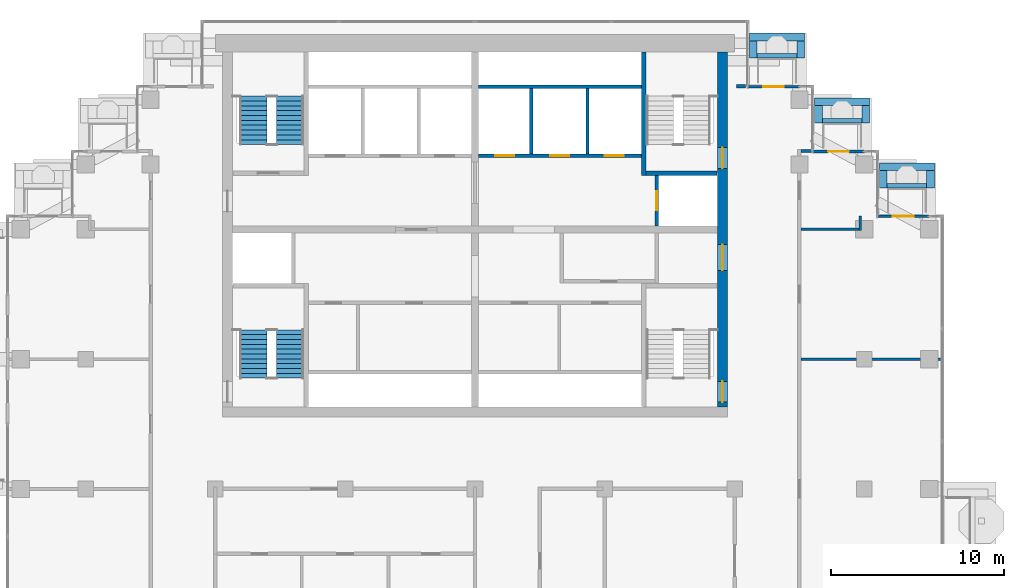
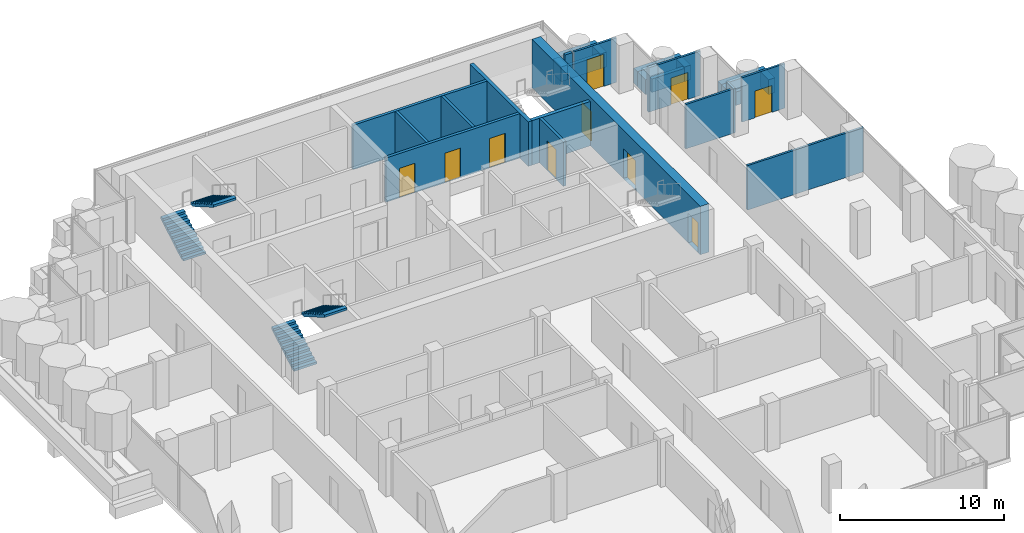
# One storey, part 14 of 18: 28 walls, 10 doors, 4 stair flights, 10 openings, 2 elements without a shape of their own.
"""IFC4 building model written with IfcOpenShell, lengths in metres."""

from ifc_helpers import new_model, si_unit, direction, frame, frame_2d, origin, place, context, subcontext, project, spatial, polyline, rectangle, outline, extrude, material, layer, layer_set, type_object, element, fill, aggregate, save


model = new_model("IFC4")

# Units and contexts
model_context = context("Model", 3, precision=1e-05, world=origin(), true_north=direction((0.0, 1.0)))
body_context = subcontext(model_context, "Body", "Model", "MODEL_VIEW")
ifc_project = project(units=[si_unit("LENGTHUNIT", "METRE"), si_unit("AREAUNIT", "SQUARE_METRE"), si_unit("VOLUMEUNIT", "CUBIC_METRE"), si_unit("PLANEANGLEUNIT", "RADIAN"), si_unit("MASSUNIT", "GRAM", prefix="KILO")], contexts=[model_context])

# Site, building, storey
site_placement = place(None, origin())
site = spatial("IfcSite", under=ifc_project, at=site_placement, CompositionType="ELEMENT")
building_placement = place(site_placement, origin())
building = spatial("IfcBuilding", under=site, at=building_placement, Name="Pilkhan Gate Tower", CompositionType="ELEMENT")
storey_placement = place(building_placement, frame((0.0, 0.0, 199.5)))
storey = spatial("IfcBuildingStorey", under=building, at=storey_placement, Name="L51", CompositionType="ELEMENT", Elevation=199.5)

# Walls
ifc_material_1 = material(Name="Concrete C40/50", Category="concrete")
ifc_layer_1 = layer(ifc_material_1, 0.25)
ifc_layer_set_1 = layer_set([ifc_layer_1], Name="Balcony planter BP250")
wall_type_1 = type_object("IfcWallType", Name="Balcony planter BP250", PredefinedType="USERDEFINED", material=ifc_layer_set_1)
wall_1_placement = place(storey_placement, frame((91.300048828125, 92.52490234375, 0.0), z_axis=(0.0, 0.0, 1.0), x_axis=(1.0, 0.0, 0.0)))
element("IfcWall", 1, at=wall_1_placement, inside=storey, type_object=wall_type_1, Name="Balcony planter L51 N", ObjectType="BALCONY PLANTER", PredefinedType="USERDEFINED", context=body_context, shape_type="SweptSolid", body=[
    extrude(rectangle(XDim=2.300048828125, YDim=0.25, at=frame_2d((1.14990234375, 0.0))), origin(), (0.0, 0.0, 1.0), 1.0),
])
for number, where, z_axis, x_axis, name in (
    (2, (95.070068359375, 88.77490234375, 0.0), (0.0, 0.0, 1.0), (1.0, 0.0, 0.0), "Balcony planter L51 N"),
    (3, (98.820068359375, 85.02490234375, 0.0), (0.0, 0.0, 1.0), (1.0, 0.0, 0.0), "Balcony planter L51 N"),
):
    element("IfcWall", number, at=place(storey_placement, frame(where, z_axis=z_axis, x_axis=x_axis)), inside=storey, type_object=wall_type_1, Name=name, ObjectType="BALCONY PLANTER", PredefinedType="USERDEFINED", context=body_context, shape_type="SweptSolid", body=[
        extrude(rectangle(XDim=2.280029296875, YDim=0.25, at=frame_2d((1.14013671875, 0.0))), origin(), (0.0, 0.0, 1.0), 1.0),
    ])
ifc_material_2 = material(Name="Board-marked Concrete C40/50", Category="concrete")
ifc_layer_2 = layer(ifc_material_2, 0.449951171875)
ifc_layer_set_2 = layer_set([ifc_layer_2], Name="Balcony planter lip BL450")
wall_type_2 = type_object("IfcWallType", Name="Balcony planter lip BL450", PredefinedType="USERDEFINED", material=ifc_layer_set_2)
wall_2_placement = place(storey_placement, frame((90.85009765625, 93.625, 0.0), z_axis=(0.0, 0.0, 1.0), x_axis=(1.0, 0.0, 0.0)))
element("IfcWall", 4, at=wall_2_placement, inside=storey, type_object=wall_type_2, Name="Balcony planter L51 N", ObjectType="BALCONY PLANTER", PredefinedType="USERDEFINED", context=body_context, shape_type="SweptSolid", body=[
    extrude(rectangle(XDim=3.199951171875, YDim=0.449951171875, at=frame_2d((1.60009765625, 0.0))), origin(), (0.0, 0.0, 1.0), 1.10009765625),
])
for number, where, z_axis, x_axis, name in (
    (5, (91.074951171875, 92.39990234375, 0.0), (0.0, 0.0, 1.0), (0.0, 1.0, 0.0), "Balcony planter L51 N"),
    (6, (93.824951171875, 92.39990234375, 0.0), (0.0, 0.0, 1.0), (0.0, 1.0, 0.0), "Balcony planter L51 N"),
):
    element("IfcWall", number, at=place(storey_placement, frame(where, z_axis=z_axis, x_axis=x_axis)), inside=storey, type_object=wall_type_2, Name=name, ObjectType="BALCONY PLANTER", PredefinedType="USERDEFINED", context=body_context, shape_type="SweptSolid", body=[
        extrude(rectangle(XDim=1.0, YDim=0.449951171875, at=frame_2d((0.5, 0.0))), origin(), (0.0, 0.0, 1.0), 1.10009765625),
    ])
wall_3_placement = place(storey_placement, frame((94.6201171875, 89.875, 0.0), z_axis=(0.0, 0.0, 1.0), x_axis=(1.0, 0.0, 0.0)))
element("IfcWall", 7, at=wall_3_placement, inside=storey, type_object=wall_type_2, Name="Balcony planter L51 N", ObjectType="BALCONY PLANTER", PredefinedType="USERDEFINED", context=body_context, shape_type="SweptSolid", body=[
    extrude(rectangle(XDim=3.179931640625, YDim=0.449951171875, at=frame_2d((1.58984375, 0.0))), origin(), (0.0, 0.0, 1.0), 1.10009765625),
])
for number, where, z_axis, x_axis, name in (
    (8, (94.844970703125, 88.64990234375, 0.0), (0.0, 0.0, 1.0), (0.0, 1.0, 0.0), "Balcony planter L51 N"),
    (9, (97.574951171875, 88.64990234375, 0.0), (0.0, 0.0, 1.0), (0.0, 1.0, 0.0), "Balcony planter L51 N"),
):
    element("IfcWall", number, at=place(storey_placement, frame(where, z_axis=z_axis, x_axis=x_axis)), inside=storey, type_object=wall_type_2, Name=name, ObjectType="BALCONY PLANTER", PredefinedType="USERDEFINED", context=body_context, shape_type="SweptSolid", body=[
        extrude(rectangle(XDim=1.0, YDim=0.449951171875, at=frame_2d((0.5, 0.0))), origin(), (0.0, 0.0, 1.0), 1.10009765625),
    ])
wall_4_placement = place(storey_placement, frame((98.3701171875, 86.125, 0.0), z_axis=(0.0, 0.0, 1.0), x_axis=(1.0, 0.0, 0.0)))
element("IfcWall", 10, at=wall_4_placement, inside=storey, type_object=wall_type_2, Name="Balcony planter L51 N", ObjectType="BALCONY PLANTER", PredefinedType="USERDEFINED", context=body_context, shape_type="SweptSolid", body=[
    extrude(rectangle(XDim=3.179931640625, YDim=0.449951171875, at=frame_2d((1.58984375, 0.0))), origin(), (0.0, 0.0, 1.0), 1.10009765625),
])
for number, where, z_axis, x_axis, name in (
    (11, (98.594970703125, 84.89990234375, 0.0), (0.0, 0.0, 1.0), (0.0, 1.0, 0.0), "Balcony planter L51 N"),
    (12, (101.324951171875, 84.89990234375, 0.0), (0.0, 0.0, 1.0), (0.0, 1.0, 0.0), "Balcony planter L51 N"),
):
    element("IfcWall", number, at=place(storey_placement, frame(where, z_axis=z_axis, x_axis=x_axis)), inside=storey, type_object=wall_type_2, Name=name, ObjectType="BALCONY PLANTER", PredefinedType="USERDEFINED", context=body_context, shape_type="SweptSolid", body=[
        extrude(rectangle(XDim=1.0, YDim=0.449951171875, at=frame_2d((0.5, 0.0))), origin(), (0.0, 0.0, 1.0), 1.10009765625),
    ])

# Wall, openings, doors
ifc_material_3 = material(Name="Concrete C50/60", Category="concrete")
ifc_layer_3 = layer(ifc_material_3, 0.60009765625)
ifc_layer_set_3 = layer_set([ifc_layer_3], Name="Core wall CW600 C50/60")
wall_type_3 = type_object("IfcWallType", Name="Core wall CW600 C50/60", PredefinedType="SHEAR", material=ifc_layer_set_3)
wall_5_placement = place(storey_placement, frame((89.300048828125, 72.25, 0.0), z_axis=(0.0, 0.0, 1.0), x_axis=(0.0, 1.0, 0.0)))
wall_5 = element("IfcWall", 13, at=wall_5_placement, inside=storey, type_object=wall_type_3, Name="Core wall E L51", PredefinedType="SHEAR", context=body_context, shape_type="SweptSolid", body=[
    extrude(rectangle(XDim=20.5, YDim=0.60009765625, at=frame_2d((10.25, 0.0))), origin(), (0.0, 0.0, 1.0), 3.60009765625),
])
opening_1_placement = place(wall_5_placement, frame((0.27490234375, 0.0, 0.0)))
opening_1 = element("IfcOpeningElement", 14, at=opening_1_placement, cuts=wall_5, Name="Opening L51-03", PredefinedType="OPENING", context=body_context, shape_type="SweptSolid", body=[
    extrude(rectangle(XDim=1.199951171875, YDim=2.199951171875, at=frame_2d((0.60009765625, 1.10009765625))), frame((0.0, 0.31005859375, 0.0), z_axis=(0.0, -1.0, 0.0), x_axis=(1.0, 0.0, 0.0)), (0.0, 0.0, 1.0), 0.6201171875),
])
opening_2_placement = place(wall_5_placement, frame((13.77490234375, 0.0, 0.0)))
opening_2 = element("IfcOpeningElement", 15, at=opening_2_placement, cuts=wall_5, Name="Opening L51-05", PredefinedType="OPENING", context=body_context, shape_type="SweptSolid", body=[
    extrude(rectangle(XDim=1.199951171875, YDim=2.199951171875, at=frame_2d((0.60009765625, 1.10009765625))), frame((0.0, 0.31005859375, 0.0), z_axis=(0.0, -1.0, 0.0), x_axis=(1.0, 0.0, 0.0)), (0.0, 0.0, 1.0), 0.6201171875),
])
opening_3_placement = place(wall_5_placement, frame((7.875, 0.0, 0.0)))
opening_3 = element("IfcOpeningElement", 16, at=opening_3_placement, cuts=wall_5, Name="Opening L51-06", PredefinedType="OPENING", context=body_context, shape_type="SweptSolid", body=[
    extrude(rectangle(XDim=1.5, YDim=2.199951171875, at=frame_2d((0.75, 1.10009765625))), frame((0.0, 0.31005859375, 0.0), z_axis=(0.0, -1.0, 0.0), x_axis=(1.0, 0.0, 0.0)), (0.0, 0.0, 1.0), 0.6201171875),
])
ifc_material_4 = material(Name="Steel framed glazed door, 60 minute fire resisting", Category="steel")
door_type_1 = type_object("IfcDoorType", Name="Lobby door D09 1500x2200", OperationType="DOUBLE_DOOR_SINGLE_SWING", PredefinedType="DOOR", material=ifc_material_4)
door_1_placement = place(opening_3_placement, origin())
door_1 = element("IfcDoor", 17, at=door_1_placement, inside=storey, type_object=door_type_1, Name="Core door", OperationType="DOUBLE_DOOR_SINGLE_SWING", OverallHeight=2.199951171875, OverallWidth=1.5, PredefinedType="DOOR", context=body_context, shape_type="SweptSolid", body=[
    extrude(rectangle(XDim=1.5, YDim=2.199951171875, at=frame_2d((0.75, 1.10009765625))), frame((0.0, 0.02490234375, 0.0), z_axis=(0.0, -1.0, 0.0), x_axis=(1.0, 0.0, 0.0)), (0.0, 0.0, 1.0), 0.050048828125),
])
fill(opening_3, door_1)
ifc_material_5 = material(Name="Steel door, 120 minute fire resisting, panic bar", Category="steel")
door_type_2 = type_object("IfcDoorType", Name="Stair door D11 1200x2200", OperationType="SINGLE_SWING_LEFT", PredefinedType="DOOR", material=ifc_material_5)
door_2_placement = place(opening_1_placement, origin())
door_2 = element("IfcDoor", 18, at=door_2_placement, inside=storey, type_object=door_type_2, Name="Stair ST1 door", OperationType="SINGLE_SWING_RIGHT", OverallHeight=2.199951171875, OverallWidth=1.199951171875, PredefinedType="DOOR", context=body_context, shape_type="SweptSolid", body=[
    extrude(rectangle(XDim=1.199951171875, YDim=2.199951171875, at=frame_2d((0.60009765625, 1.10009765625))), frame((0.0, 0.02490234375, 0.0), z_axis=(0.0, -1.0, 0.0), x_axis=(1.0, 0.0, 0.0)), (0.0, 0.0, 1.0), 0.050048828125),
])
fill(opening_1, door_2)
door_3_placement = place(opening_2_placement, origin())
door_3 = element("IfcDoor", 19, at=door_3_placement, inside=storey, type_object=door_type_2, Name="Stair ST4 door", OperationType="SINGLE_SWING_LEFT", OverallHeight=2.199951171875, OverallWidth=1.199951171875, PredefinedType="DOOR", context=body_context, shape_type="SweptSolid", body=[
    extrude(rectangle(XDim=1.199951171875, YDim=2.199951171875, at=frame_2d((0.60009765625, 1.10009765625))), frame((0.0, 0.02490234375, 0.0), z_axis=(0.0, -1.0, 0.0), x_axis=(1.0, 0.0, 0.0)), (0.0, 0.0, 1.0), 0.050048828125),
])
fill(opening_2, door_3)

# Walls
ifc_material_6 = material(Name="Dense blockwork", Category="masonry")
ifc_layer_4 = layer(ifc_material_6, 0.199951171875)
ifc_layer_set_4 = layer_set([ifc_layer_4], Name="Corridor wall FW200")
wall_type_4 = type_object("IfcWallType", Name="Corridor wall FW200", PredefinedType="PARTITIONING", material=ifc_layer_set_4)
wall_6_placement = place(storey_placement, frame((93.85009765625, 87.030029296875, 0.0), z_axis=(0.0, 0.0, 1.0), x_axis=(1.0, 0.0, 0.0)))
element("IfcWall", 20, at=wall_6_placement, inside=storey, type_object=wall_type_4, Name="Partition L51", PredefinedType="PARTITIONING", context=body_context, shape_type="SweptSolid", body=[
    extrude(rectangle(XDim=0.639892578125, YDim=0.199951171875, at=frame_2d((0.31982421875, 0.0))), origin(), (0.0, 0.0, 1.0), 3.300048828125),
])
wall_7_placement = place(storey_placement, frame((90.1201171875, 90.764892578125, 0.0), z_axis=(0.0, 0.0, 1.0), x_axis=(1.0, 0.0, 0.0)))
element("IfcWall", 21, at=wall_7_placement, inside=storey, type_object=wall_type_4, Name="Partition L51", PredefinedType="PARTITIONING", context=body_context, shape_type="SweptSolid", body=[
    extrude(rectangle(XDim=0.52490234375, YDim=0.199951171875, at=frame_2d((0.262451171875, 0.0))), origin(), (0.0, 0.0, 1.0), 3.300048828125),
])

# Wall, opening, door
ifc_material_7 = material(Name="Pale anodised aluminium, clear laminated glazing", Category="aluminium")
ifc_layer_5 = layer(ifc_material_7, 0.14990234375)
ifc_layer_set_5 = layer_set([ifc_layer_5], Name="Facade infill wall IW150")
wall_type_5 = type_object("IfcWallType", Name="Facade infill wall IW150", PredefinedType="SOLIDWALL", material=ifc_layer_set_5)
wall_8_placement = place(storey_placement, frame((98.25, 83.25, 0.0), z_axis=(0.0, 0.0, 1.0), x_axis=(1.0, 0.0, 0.0)))
wall_8 = element("IfcWall", 22, at=wall_8_placement, inside=storey, type_object=wall_type_5, Name="Infill wall L51 N", PredefinedType="SOLIDWALL", context=body_context, shape_type="SweptSolid", body=[
    extrude(rectangle(XDim=3.0, YDim=0.14990234375, at=frame_2d((1.5, 0.0))), origin(), (0.0, 0.0, 1.0), 3.300048828125),
])
opening_4_placement = place(wall_8_placement, frame((0.89990234375, 0.0, 0.0)))
opening_4 = element("IfcOpeningElement", 23, at=opening_4_placement, cuts=wall_8, Name="Opening D1L", PredefinedType="OPENING", context=body_context, shape_type="SweptSolid", body=[
    extrude(rectangle(XDim=1.199951171875, YDim=2.0, at=frame_2d((0.60009765625, 1.0))), frame((0.0, 0.0849609375, 0.0), z_axis=(0.0, -1.0, 0.0), x_axis=(1.0, 0.0, 0.0)), (0.0, 0.0, 1.0), 0.169921875),
])
ifc_material_8 = material(Name="Pale anodised aluminium, clear glazing", Category="aluminium")
door_type_3 = type_object("IfcDoorType", Name="Balcony door D1L 1200x2000", OperationType="SINGLE_SWING_LEFT", PredefinedType="DOOR", material=ifc_material_8)
door_4_placement = place(opening_4_placement, origin())
door_4 = element("IfcDoor", 24, at=door_4_placement, inside=storey, type_object=door_type_3, Name="Balcony door L51", OperationType="SINGLE_SWING_LEFT", OverallHeight=2.0, OverallWidth=1.199951171875, PredefinedType="DOOR", context=body_context, shape_type="SweptSolid", body=[
    extrude(rectangle(XDim=1.199951171875, YDim=2.0, at=frame_2d((0.60009765625, 1.0))), frame((0.0, 0.02490234375, 0.0), z_axis=(0.0, -1.0, 0.0), x_axis=(1.0, 0.0, 0.0)), (0.0, 0.0, 1.0), 0.050048828125),
])
fill(opening_4, door_4)

wall_9_placement = place(storey_placement, frame((94.5, 87.0, 0.0), z_axis=(0.0, 0.0, 1.0), x_axis=(1.0, 0.0, 0.0)))
wall_9 = element("IfcWall", 25, at=wall_9_placement, inside=storey, type_object=wall_type_5, Name="Infill wall L51 N", PredefinedType="SOLIDWALL", context=body_context, shape_type="SweptSolid", body=[
    extrude(rectangle(XDim=3.0, YDim=0.14990234375, at=frame_2d((1.5, 0.0))), origin(), (0.0, 0.0, 1.0), 3.300048828125),
])
opening_5_placement = place(wall_9_placement, frame((0.89990234375, 0.0, 0.0)))
opening_5 = element("IfcOpeningElement", 26, at=opening_5_placement, cuts=wall_9, Name="Opening D1L", PredefinedType="OPENING", context=body_context, shape_type="SweptSolid", body=[
    extrude(rectangle(XDim=1.199951171875, YDim=2.0, at=frame_2d((0.60009765625, 1.0))), frame((0.0, 0.0849609375, 0.0), z_axis=(0.0, -1.0, 0.0), x_axis=(1.0, 0.0, 0.0)), (0.0, 0.0, 1.0), 0.169921875),
])
door_5_placement = place(opening_5_placement, origin())
door_5 = element("IfcDoor", 27, at=door_5_placement, inside=storey, type_object=door_type_3, Name="Balcony door L51", OperationType="SINGLE_SWING_LEFT", OverallHeight=2.0, OverallWidth=1.199951171875, PredefinedType="DOOR", context=body_context, shape_type="SweptSolid", body=[
    extrude(rectangle(XDim=1.199951171875, YDim=2.0, at=frame_2d((0.60009765625, 1.0))), frame((0.0, 0.02490234375, 0.0), z_axis=(0.0, -1.0, 0.0), x_axis=(1.0, 0.0, 0.0)), (0.0, 0.0, 1.0), 0.050048828125),
])
fill(opening_5, door_5)

wall_10_placement = place(storey_placement, frame((90.75, 90.75, 0.0), z_axis=(0.0, 0.0, 1.0), x_axis=(1.0, 0.0, 0.0)))
wall_10 = element("IfcWall", 28, at=wall_10_placement, inside=storey, type_object=wall_type_5, Name="Infill wall L51 N", PredefinedType="SOLIDWALL", context=body_context, shape_type="SweptSolid", body=[
    extrude(rectangle(XDim=3.0, YDim=0.14990234375, at=frame_2d((1.5, 0.0))), origin(), (0.0, 0.0, 1.0), 3.300048828125),
])
opening_6_placement = place(wall_10_placement, frame((0.89990234375, 0.0, 0.0)))
opening_6 = element("IfcOpeningElement", 29, at=opening_6_placement, cuts=wall_10, Name="Opening D1", PredefinedType="OPENING", context=body_context, shape_type="SweptSolid", body=[
    extrude(rectangle(XDim=1.199951171875, YDim=2.39990234375, at=frame_2d((0.60009765625, 1.199951171875))), frame((0.0, 0.0849609375, 0.0), z_axis=(0.0, -1.0, 0.0), x_axis=(1.0, 0.0, 0.0)), (0.0, 0.0, 1.0), 0.169921875),
])
door_type_4 = type_object("IfcDoorType", Name="Balcony door D1 1200x2400", OperationType="SINGLE_SWING_LEFT", PredefinedType="DOOR", material=ifc_material_8)
door_6_placement = place(opening_6_placement, origin())
door_6 = element("IfcDoor", 30, at=door_6_placement, inside=storey, type_object=door_type_4, Name="Balcony door L51", OperationType="SINGLE_SWING_LEFT", OverallHeight=2.39990234375, OverallWidth=1.199951171875, PredefinedType="DOOR", context=body_context, shape_type="SweptSolid", body=[
    extrude(rectangle(XDim=1.199951171875, YDim=2.39990234375, at=frame_2d((0.60009765625, 1.199951171875))), frame((0.0, 0.02490234375, 0.0), z_axis=(0.0, -1.0, 0.0), x_axis=(1.0, 0.0, 0.0)), (0.0, 0.0, 1.0), 0.050048828125),
])
fill(opening_6, door_6)

# Walls
ifc_material_9 = material(Name="Blockwork partition, plastered both sides", Category="masonry")
ifc_layer_6 = layer(ifc_material_9, 0.14990234375)
ifc_layer_set_6 = layer_set([ifc_layer_6], Name="Partition PW150")
wall_type_6 = type_object("IfcWallType", Name="Partition PW150", PredefinedType="PARTITIONING", material=ifc_layer_set_6)
wall_11_placement = place(storey_placement, frame((93.85009765625, 75.0, 0.0), z_axis=(0.0, 0.0, 1.0), x_axis=(1.0, 0.0, 0.0)))
element("IfcWall", 31, at=wall_11_placement, inside=storey, type_object=wall_type_6, Name="Partition L51", PredefinedType="PARTITIONING", context=body_context, shape_type="SweptSolid", body=[
    extrude(rectangle(XDim=8.164794921875, YDim=0.14990234375, at=frame_2d((4.08251953125, 0.0))), origin(), (0.0, 0.0, 1.0), 3.300048828125),
])
wall_12_placement = place(storey_placement, frame((93.85009765625, 82.5, 0.0), z_axis=(0.0, 0.0, 1.0), x_axis=(1.0, 0.0, 0.0)))
element("IfcWall", 32, at=wall_12_placement, inside=storey, type_object=wall_type_6, Name="Partition L51", PredefinedType="PARTITIONING", context=body_context, shape_type="SweptSolid", body=[
    extrude(rectangle(XDim=3.33984375, YDim=0.14990234375, at=frame_2d((1.669921875, 0.0))), origin(), (0.0, 0.0, 1.0), 3.300048828125),
])
wall_13_placement = place(storey_placement, frame((97.264892578125, 82.425048828125, 0.0), z_axis=(0.0, 0.0, 1.0), x_axis=(0.0, 1.0, 0.0)))
element("IfcWall", 33, at=wall_13_placement, inside=storey, type_object=wall_type_6, Name="Partition L51", PredefinedType="PARTITIONING", context=body_context, shape_type="SweptSolid", body=[
    extrude(rectangle(XDim=0.83984375, YDim=0.14990234375, at=frame_2d((0.419921875, 0.0))), origin(), (0.0, 0.0, 1.0), 3.300048828125),
])

# Wall, openings, doors
ifc_material_10 = material(Name="Reinforced blockwork shaft wall, 120 minute fire resisting", Category="masonry")
ifc_layer_7 = layer(ifc_material_10, 0.199951171875)
ifc_layer_set_7 = layer_set([ifc_layer_7], Name="Shaft wall SW200")
wall_type_7 = type_object("IfcWallType", Name="Shaft wall SW200", PredefinedType="PARTITIONING", material=ifc_layer_set_7)
wall_14_placement = place(storey_placement, frame((75.2099609375, 86.75, 0.0), z_axis=(0.0, 0.0, 1.0), x_axis=(1.0, 0.0, 0.0)))
wall_14 = element("IfcWall", 34, at=wall_14_placement, inside=storey, type_object=wall_type_7, Name="Partition L51", PredefinedType="PARTITIONING", context=body_context, shape_type="SweptSolid", body=[
    extrude(rectangle(XDim=9.4150390625, YDim=0.199951171875, at=frame_2d((4.70751953125, 0.0))), origin(), (0.0, 0.0, 1.0), 3.300048828125),
])
opening_7_placement = place(wall_14_placement, frame((0.949951171875, 0.0, 0.0)))
opening_7 = element("IfcOpeningElement", 35, at=opening_7_placement, cuts=wall_14, Name="Opening LD", PredefinedType="OPENING", context=body_context, shape_type="SweptSolid", body=[
    extrude(rectangle(XDim=1.10009765625, YDim=2.199951171875, at=frame_2d((0.550048828125, 1.10009765625))), frame((0.0, 0.10986328125, 0.0), z_axis=(0.0, -1.0, 0.0), x_axis=(1.0, 0.0, 0.0)), (0.0, 0.0, 1.0), 0.219970703125),
])
opening_8_placement = place(wall_14_placement, frame((4.139892578125, 0.0, 0.0)))
opening_8 = element("IfcOpeningElement", 36, at=opening_8_placement, cuts=wall_14, Name="Opening LD", PredefinedType="OPENING", context=body_context, shape_type="SweptSolid", body=[
    extrude(rectangle(XDim=1.10009765625, YDim=2.199951171875, at=frame_2d((0.550048828125, 1.10009765625))), frame((0.0, 0.10986328125, 0.0), z_axis=(0.0, -1.0, 0.0), x_axis=(1.0, 0.0, 0.0)), (0.0, 0.0, 1.0), 0.219970703125),
])
opening_9_placement = place(wall_14_placement, frame((7.2900390625, 0.0, 0.0)))
opening_9 = element("IfcOpeningElement", 37, at=opening_9_placement, cuts=wall_14, Name="Opening LD", PredefinedType="OPENING", context=body_context, shape_type="SweptSolid", body=[
    extrude(rectangle(XDim=1.10009765625, YDim=2.199951171875, at=frame_2d((0.550048828125, 1.10009765625))), frame((0.0, 0.10986328125, 0.0), z_axis=(0.0, -1.0, 0.0), x_axis=(1.0, 0.0, 0.0)), (0.0, 0.0, 1.0), 0.219970703125),
])
ifc_material_11 = material(Name="Stainless steel centre-opening landing door, 120 minute fire resisting", Category="steel")
door_type_5 = type_object("IfcDoorType", Name="Lift landing door LD 1100x2200", OperationType="DOUBLE_DOOR_SLIDING", PredefinedType="DOOR", material=ifc_material_11)
door_7_placement = place(opening_7_placement, origin())
door_7 = element("IfcDoor", 38, at=door_7_placement, inside=storey, type_object=door_type_5, Name="Landing door HR1", OperationType="DOUBLE_DOOR_SLIDING", OverallHeight=2.199951171875, OverallWidth=1.10009765625, PredefinedType="DOOR", context=body_context, shape_type="SweptSolid", body=[
    extrude(rectangle(XDim=1.10009765625, YDim=2.199951171875, at=frame_2d((0.550048828125, 1.10009765625))), frame((0.0, 0.02490234375, 0.0), z_axis=(0.0, -1.0, 0.0), x_axis=(1.0, 0.0, 0.0)), (0.0, 0.0, 1.0), 0.050048828125),
])
fill(opening_7, door_7)
door_8_placement = place(opening_8_placement, origin())
door_8 = element("IfcDoor", 39, at=door_8_placement, inside=storey, type_object=door_type_5, Name="Landing door HR2", OperationType="DOUBLE_DOOR_SLIDING", OverallHeight=2.199951171875, OverallWidth=1.10009765625, PredefinedType="DOOR", context=body_context, shape_type="SweptSolid", body=[
    extrude(rectangle(XDim=1.10009765625, YDim=2.199951171875, at=frame_2d((0.550048828125, 1.10009765625))), frame((0.0, 0.02490234375, 0.0), z_axis=(0.0, -1.0, 0.0), x_axis=(1.0, 0.0, 0.0)), (0.0, 0.0, 1.0), 0.050048828125),
])
fill(opening_8, door_8)
door_9_placement = place(opening_9_placement, origin())
door_9 = element("IfcDoor", 40, at=door_9_placement, inside=storey, type_object=door_type_5, Name="Landing door HR3", OperationType="DOUBLE_DOOR_SLIDING", OverallHeight=2.199951171875, OverallWidth=1.10009765625, PredefinedType="DOOR", context=body_context, shape_type="SweptSolid", body=[
    extrude(rectangle(XDim=1.10009765625, YDim=2.199951171875, at=frame_2d((0.550048828125, 1.10009765625))), frame((0.0, 0.02490234375, 0.0), z_axis=(0.0, -1.0, 0.0), x_axis=(1.0, 0.0, 0.0)), (0.0, 0.0, 1.0), 0.050048828125),
])
fill(opening_9, door_9)

# Walls
wall_15_placement = place(storey_placement, frame((75.2099609375, 90.75, 0.0), z_axis=(0.0, 0.0, 1.0), x_axis=(1.0, 0.0, 0.0)))
element("IfcWall", 41, at=wall_15_placement, inside=storey, type_object=wall_type_7, Name="Partition L51", PredefinedType="PARTITIONING", context=body_context, shape_type="SweptSolid", body=[
    extrude(rectangle(XDim=9.4150390625, YDim=0.199951171875, at=frame_2d((4.70751953125, 0.0))), origin(), (0.0, 0.0, 1.0), 3.300048828125),
])
for number, where, z_axis, x_axis, name in (
    (42, (78.25, 86.85009765625, 0.0), (0.0, 0.0, 1.0), (0.0, 1.0, 0.0), "Partition L51"),
    (43, (81.5, 86.85009765625, 0.0), (0.0, 0.0, 1.0), (0.0, 1.0, 0.0), "Partition L51"),
):
    element("IfcWall", number, at=place(storey_placement, frame(where, z_axis=z_axis, x_axis=x_axis)), inside=storey, type_object=wall_type_7, Name=name, PredefinedType="PARTITIONING", context=body_context, shape_type="SweptSolid", body=[
        extrude(rectangle(XDim=3.7998046875, YDim=0.199951171875, at=frame_2d((1.89990234375, 0.0))), origin(), (0.0, 0.0, 1.0), 3.300048828125),
    ])

# Wall, opening, door
wall_16_placement = place(storey_placement, frame((85.5, 82.7099609375, 0.0), z_axis=(0.0, 0.0, 1.0), x_axis=(0.0, 1.0, 0.0)))
wall_16 = element("IfcWall", 44, at=wall_16_placement, inside=storey, type_object=wall_type_7, Name="Partition L51", PredefinedType="PARTITIONING", context=body_context, shape_type="SweptSolid", body=[
    extrude(rectangle(XDim=2.9150390625, YDim=0.199951171875, at=frame_2d((1.45751953125, 0.0))), origin(), (0.0, 0.0, 1.0), 3.300048828125),
])
opening_10_placement = place(wall_16_placement, frame((0.89990234375, 0.0, 0.0)))
opening_10 = element("IfcOpeningElement", 45, at=opening_10_placement, cuts=wall_16, Name="Opening LD", PredefinedType="OPENING", context=body_context, shape_type="SweptSolid", body=[
    extrude(rectangle(XDim=1.10009765625, YDim=2.199951171875, at=frame_2d((0.550048828125, 1.10009765625))), frame((0.0, 0.10986328125, 0.0), z_axis=(0.0, -1.0, 0.0), x_axis=(1.0, 0.0, 0.0)), (0.0, 0.0, 1.0), 0.219970703125),
])
door_10_placement = place(opening_10_placement, origin())
door_10 = element("IfcDoor", 46, at=door_10_placement, inside=storey, type_object=door_type_5, Name="Landing door HR4", OperationType="DOUBLE_DOOR_SLIDING", OverallHeight=2.199951171875, OverallWidth=1.10009765625, PredefinedType="DOOR", context=body_context, shape_type="SweptSolid", body=[
    extrude(rectangle(XDim=1.10009765625, YDim=2.199951171875, at=frame_2d((0.550048828125, 1.10009765625))), frame((0.0, 0.02490234375, 0.0), z_axis=(0.0, -1.0, 0.0), x_axis=(1.0, 0.0, 0.0)), (0.0, 0.0, 1.0), 0.050048828125),
])
fill(opening_10, door_10)

# Walls
ifc_material_12 = material(Name="Reinforced blockwork, 120 minute fire resisting", Category="masonry")
ifc_layer_8 = layer(ifc_material_12, 0.25)
ifc_layer_set_8 = layer_set([ifc_layer_8], Name="Stair enclosure wall SE250")
wall_type_8 = type_object("IfcWallType", Name="Stair enclosure wall SE250", PredefinedType="PARTITIONING", material=ifc_layer_set_8)
wall_17_placement = place(storey_placement, frame((84.875, 85.75, 0.0), z_axis=(0.0, 0.0, 1.0), x_axis=(1.0, 0.0, 0.0)))
element("IfcWall", 47, at=wall_17_placement, inside=storey, type_object=wall_type_8, Name="Partition L51", PredefinedType="PARTITIONING", context=body_context, shape_type="SweptSolid", body=[
    extrude(rectangle(XDim=4.114990234375, YDim=0.25, at=frame_2d((2.0576171875, 0.0))), origin(), (0.0, 0.0, 1.0), 3.300048828125),
])
wall_18_placement = place(storey_placement, frame((84.75, 85.625, 0.0), z_axis=(0.0, 0.0, 1.0), x_axis=(0.0, 1.0, 0.0)))
element("IfcWall", 48, at=wall_18_placement, inside=storey, type_object=wall_type_8, Name="Partition L51", PredefinedType="PARTITIONING", context=body_context, shape_type="SweptSolid", body=[
    extrude(rectangle(XDim=7.114990234375, YDim=0.25, at=frame_2d((3.5576171875, 0.0))), origin(), (0.0, 0.0, 1.0), 3.300048828125),
])

# Stair, stair flights
ifc_material_13 = material(Name="Concrete C40/50 precast", Category="concrete")
stair_type_1 = type_object("IfcStairType", Name="Stair ST2 164x280", PredefinedType="HALF_TURN_STAIR", material=ifc_material_13)
stair_1_placement = place(storey_placement, origin())
stair_1 = element("IfcStair", 49, at=stair_1_placement, inside=storey, type_object=stair_type_1, Name="Stair ST2 L51", PredefinedType="HALF_TURN_STAIR")
stair_flight_type_1 = type_object("IfcStairFlightType", Name="Stair flight ST2 164x280x11", PredefinedType="STRAIGHT", material=ifc_material_13)
stair_flight_1_placement = place(storey_placement, frame((62.18994140625, 73.89990234375, 0.0), z_axis=(0.0, 0.0, 1.0), x_axis=(0.0, 1.0, 0.0)))
stair_flight_1 = element("IfcStairFlight", 50, at=stair_flight_1_placement, type_object=stair_flight_type_1, Name="ST2 flight 1", NumberOfRisers=11, NumberOfTreads=10, PredefinedType="STRAIGHT", RiserHeight=0.163636364, TreadLength=0.28, context=body_context, shape_type="SweptSolid", body=[
    extrude(outline(polyline([(0.0, 0.0), (0.0, 0.16357421875), (0.280029296875, 0.16357421875), (0.280029296875, 0.327392578125), (0.56005859375, 0.327392578125), (0.56005859375, 0.490966796875), (0.840087890625, 0.490966796875), (0.840087890625, 0.654541015625), (1.1201171875, 0.654541015625), (1.1201171875, 0.818115234375), (1.39990234375, 0.818115234375), (1.39990234375, 0.98193359375), (1.679931640625, 0.98193359375), (1.679931640625, 1.1455078125), (1.9599609375, 1.1455078125), (1.9599609375, 1.30908203125), (2.239990234375, 1.30908203125), (2.239990234375, 1.47265625), (2.52001953125, 1.47265625), (2.52001953125, 1.636474609375), (2.800048828125, 1.636474609375), (2.800048828125, 1.800048828125), (2.800048828125, 1.462646484375), (0.297119140625, 0.0), (0.0, 0.0)])), frame((0.0, 0.7900390625, 0.0), z_axis=(0.0, -1.0, 0.0), x_axis=(1.0, 0.0, 0.0)), (0.0, 0.0, 1.0), 1.580078125),
])
stair_flight_2_placement = place(storey_placement, frame((64.31005859375, 76.699951171875, 1.800048828125), z_axis=(0.0, 0.0, 1.0), x_axis=(0.0, -1.0, 0.0)))
stair_flight_2 = element("IfcStairFlight", 51, at=stair_flight_2_placement, type_object=stair_flight_type_1, Name="ST2 flight 2", NumberOfRisers=11, NumberOfTreads=10, PredefinedType="STRAIGHT", RiserHeight=0.163636364, TreadLength=0.28, context=body_context, shape_type="SweptSolid", body=[
    extrude(outline(polyline([(0.0, 0.0), (0.0, 0.16357421875), (0.280029296875, 0.16357421875), (0.280029296875, 0.327392578125), (0.56005859375, 0.327392578125), (0.56005859375, 0.490966796875), (0.840087890625, 0.490966796875), (0.840087890625, 0.654541015625), (1.1201171875, 0.654541015625), (1.1201171875, 0.818115234375), (1.39990234375, 0.818115234375), (1.39990234375, 0.98193359375), (1.679931640625, 0.98193359375), (1.679931640625, 1.1455078125), (1.9599609375, 1.1455078125), (1.9599609375, 1.30908203125), (2.239990234375, 1.30908203125), (2.239990234375, 1.47265625), (2.52001953125, 1.47265625), (2.52001953125, 1.636474609375), (2.800048828125, 1.636474609375), (2.800048828125, 1.800048828125), (2.800048828125, 1.462646484375), (0.297119140625, 0.0), (0.0, 0.0)])), frame((0.0, 0.7900390625, 0.0), z_axis=(0.0, -1.0, 0.0), x_axis=(1.0, 0.0, 0.0)), (0.0, 0.0, 1.0), 1.580078125),
])
aggregate(stair_1, [stair_flight_1, stair_flight_2])

stair_type_2 = type_object("IfcStairType", Name="Stair ST3 164x280", PredefinedType="HALF_TURN_STAIR", material=ifc_material_13)
stair_2_placement = place(storey_placement, origin())
stair_2 = element("IfcStair", 52, at=stair_2_placement, inside=storey, type_object=stair_type_2, Name="Stair ST3 L51", PredefinedType="HALF_TURN_STAIR")
stair_flight_type_2 = type_object("IfcStairFlightType", Name="Stair flight ST3 164x280x11", PredefinedType="STRAIGHT", material=ifc_material_13)
stair_flight_3_placement = place(storey_placement, frame((62.18994140625, 87.39990234375, 0.0), z_axis=(0.0, 0.0, 1.0), x_axis=(0.0, 1.0, 0.0)))
stair_flight_3 = element("IfcStairFlight", 53, at=stair_flight_3_placement, type_object=stair_flight_type_2, Name="ST3 flight 1", NumberOfRisers=11, NumberOfTreads=10, PredefinedType="STRAIGHT", RiserHeight=0.163636364, TreadLength=0.28, context=body_context, shape_type="SweptSolid", body=[
    extrude(outline(polyline([(0.0, 0.0), (0.0, 0.16357421875), (0.280029296875, 0.16357421875), (0.280029296875, 0.327392578125), (0.56005859375, 0.327392578125), (0.56005859375, 0.490966796875), (0.840087890625, 0.490966796875), (0.840087890625, 0.654541015625), (1.1201171875, 0.654541015625), (1.1201171875, 0.818115234375), (1.39990234375, 0.818115234375), (1.39990234375, 0.98193359375), (1.679931640625, 0.98193359375), (1.679931640625, 1.1455078125), (1.9599609375, 1.1455078125), (1.9599609375, 1.30908203125), (2.239990234375, 1.30908203125), (2.239990234375, 1.47265625), (2.52001953125, 1.47265625), (2.52001953125, 1.636474609375), (2.800048828125, 1.636474609375), (2.800048828125, 1.800048828125), (2.800048828125, 1.462646484375), (0.297119140625, 0.0), (0.0, 0.0)])), frame((0.0, 0.7900390625, 0.0), z_axis=(0.0, -1.0, 0.0), x_axis=(1.0, 0.0, 0.0)), (0.0, 0.0, 1.0), 1.580078125),
])
stair_flight_4_placement = place(storey_placement, frame((64.31005859375, 90.199951171875, 1.800048828125), z_axis=(0.0, 0.0, 1.0), x_axis=(0.0, -1.0, 0.0)))
stair_flight_4 = element("IfcStairFlight", 54, at=stair_flight_4_placement, type_object=stair_flight_type_2, Name="ST3 flight 2", NumberOfRisers=11, NumberOfTreads=10, PredefinedType="STRAIGHT", RiserHeight=0.163636364, TreadLength=0.28, context=body_context, shape_type="SweptSolid", body=[
    extrude(outline(polyline([(0.0, 0.0), (0.0, 0.16357421875), (0.280029296875, 0.16357421875), (0.280029296875, 0.327392578125), (0.56005859375, 0.327392578125), (0.56005859375, 0.490966796875), (0.840087890625, 0.490966796875), (0.840087890625, 0.654541015625), (1.1201171875, 0.654541015625), (1.1201171875, 0.818115234375), (1.39990234375, 0.818115234375), (1.39990234375, 0.98193359375), (1.679931640625, 0.98193359375), (1.679931640625, 1.1455078125), (1.9599609375, 1.1455078125), (1.9599609375, 1.30908203125), (2.239990234375, 1.30908203125), (2.239990234375, 1.47265625), (2.52001953125, 1.47265625), (2.52001953125, 1.636474609375), (2.800048828125, 1.636474609375), (2.800048828125, 1.800048828125), (2.800048828125, 1.462646484375), (0.297119140625, 0.0), (0.0, 0.0)])), frame((0.0, 0.7900390625, 0.0), z_axis=(0.0, -1.0, 0.0), x_axis=(1.0, 0.0, 0.0)), (0.0, 0.0, 1.0), 1.580078125),
])
aggregate(stair_2, [stair_flight_3, stair_flight_4])

save(model, "model.ifc")
